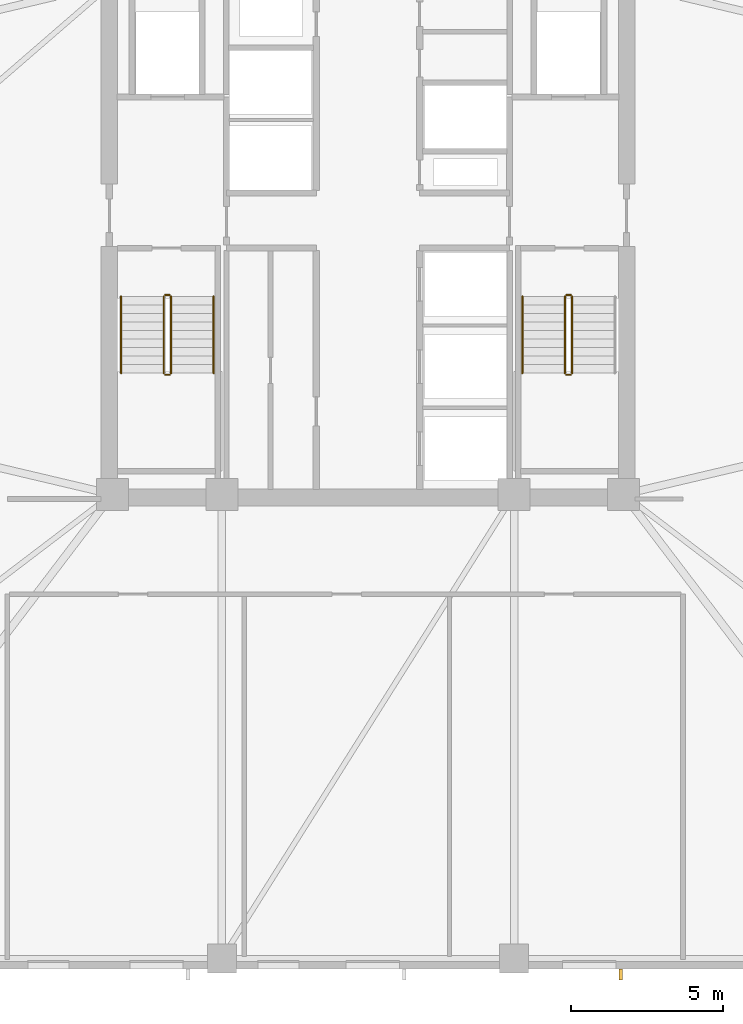
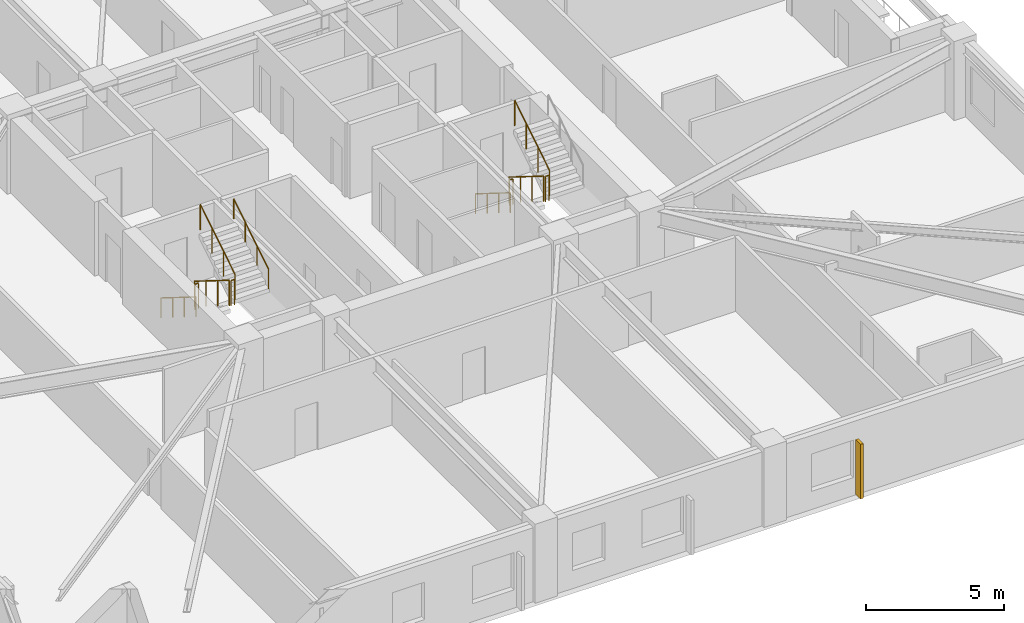
# One storey, part 7 of 10: 11 railings, 1 shading device.
"""IFC4 building model written with IfcOpenShell, lengths in metres."""

import ifcopenshell
import ifcopenshell.guid

model = None  # the IFC model being written
_history = None  # IfcOwnerHistory: only IFC2X3 demands one
_inside = {}  # id of a spatial element -> (the spatial element, [elements in it])
_under = {}  # id of a project, library or spatial element -> (it, [spatial elements below it])
_declared = {}  # id of a project -> (the project, [libraries it declares])
_typed = {}  # id of a type object -> (the type object, [elements of that type])
_made_of = {}  # id of a material, layer set ... -> (it, [elements and type objects made of it])


def new_model(schema):
    """Start an empty IFC model of exactly this schema.

    Asked for "IFC4X3", IfcOpenShell would pick the latest addendum, in which some entities
    have other attributes; the version numbers below select the first issue.
    IFC2X3 requires an IfcOwnerHistory on every rooted entity: one is made here for all.
    """
    global model, _history
    if schema == "IFC4X3":
        model = ifcopenshell.file(schema_version=(4, 3, 0, 0))
    else:
        model = ifcopenshell.file(schema=schema)
    _inside.clear()
    _under.clear()
    _declared.clear()
    _typed.clear()
    _made_of.clear()
    _history = None
    if model.schema == "IFC2X3":
        org = make("IfcOrganization", Name="unknown")
        user = make(
            "IfcPersonAndOrganization",
            ThePerson=make("IfcPerson", FamilyName="unknown"),
            TheOrganization=org,
        )
        app = make(
            "IfcApplication",
            ApplicationDeveloper=org,
            Version="unknown",
            ApplicationFullName="unknown",
            ApplicationIdentifier="unknown",
        )
        _history = make(
            "IfcOwnerHistory",
            OwningUser=user,
            OwningApplication=app,
            ChangeAction="ADDED",
            CreationDate=0,
        )
    return model


def make(cls, **values):
    """One entity of the class cls with the attributes given. An attribute that is None is left unset."""
    return model.create_entity(
        cls, **{name: value for name, value in values.items() if value is not None}
    )


def rooted(cls, **values):
    """An entity with a GlobalId (a new one), such as an element, a storey or a relation."""
    return make(cls, GlobalId=ifcopenshell.guid.new(), OwnerHistory=_history, **values)


def si_unit(unit_type, name, prefix=None):
    """IfcSIUnit, for example si_unit("LENGTHUNIT", "METRE", prefix="MILLI")."""
    return make("IfcSIUnit", UnitType=unit_type, Prefix=prefix, Name=name)


def assignment(units):
    """IfcUnitAssignment: the units of a project."""
    return None if units is None else make("IfcUnitAssignment", Units=units)


def point(xyz):
    """IfcCartesianPoint."""
    return None if xyz is None else make("IfcCartesianPoint", Coordinates=xyz)


def direction(xyz):
    """IfcDirection."""
    return None if xyz is None else make("IfcDirection", DirectionRatios=xyz)


def frame(location, z_axis=None, x_axis=None):
    """IfcAxis2Placement3D, a coordinate frame: its origin and axes. An axis left out is left unset."""
    return make(
        "IfcAxis2Placement3D",
        Location=point(location),
        Axis=direction(z_axis),
        RefDirection=direction(x_axis),
    )


def frame_2d(location, x_axis=None):
    """IfcAxis2Placement2D, a coordinate frame in the plane: its origin and x axis."""
    return make(
        "IfcAxis2Placement2D", Location=point(location), RefDirection=direction(x_axis)
    )


def origin():
    """The frame at (0, 0, 0) with its axes left unset."""
    return frame((0.0, 0.0, 0.0))


def origin_2d():
    """The frame at (0, 0) in the plane with its x axis left unset."""
    return frame_2d((0.0, 0.0))


def place(relative_to, where):
    """IfcLocalPlacement: puts the frame where relative to a parent placement (None: the world)."""
    return make(
        "IfcLocalPlacement", PlacementRelTo=relative_to, RelativePlacement=where
    )


def context(
    kind, dimensions, precision=None, world=None, true_north=None, identifier=None
):
    """IfcGeometricRepresentationContext, for example the 3D "Model" context."""
    return make(
        "IfcGeometricRepresentationContext",
        ContextIdentifier=identifier,
        ContextType=kind,
        CoordinateSpaceDimension=dimensions,
        Precision=precision,
        WorldCoordinateSystem=world,
        TrueNorth=true_north,
    )


def subcontext(parent, identifier, kind, view, scale=None):
    """IfcGeometricRepresentationSubContext, for example "Body" below "Model"."""
    return make(
        "IfcGeometricRepresentationSubContext",
        ContextIdentifier=identifier,
        ContextType=kind,
        ParentContext=parent,
        TargetScale=scale,
        TargetView=view,
    )


def project(units=None, contexts=None):
    """IfcProject with its units and contexts."""
    return rooted(
        "IfcProject",
        Name="project",
        RepresentationContexts=contexts,
        UnitsInContext=assignment(units),
    )


def spatial(cls, under=None, at=None, **own):
    """A site, building, storey or space (cls), placed at a placement, below another one or the project."""
    s = rooted(cls, ObjectPlacement=at, **own)
    if under is not None:
        _under.setdefault(under.id(), (under, []))[1].append(s)
    return s


def profile(cls, at=None, kind="AREA", **sizes):
    """A parametric profile (cls). Its sizes go by their IFC names, for example OverallWidth=200.0."""
    return make(cls, ProfileType=kind, Position=at, **sizes)


def rectangle(**sizes):
    """IfcRectangleProfileDef."""
    return profile("IfcRectangleProfileDef", **sizes)


def circle(**sizes):
    """IfcCircleProfileDef."""
    return profile("IfcCircleProfileDef", **sizes)


def extrude(swept, where, along, depth):
    """IfcExtrudedAreaSolid: the profile swept, set in the frame where, extruded along a direction by depth."""
    return make(
        "IfcExtrudedAreaSolid",
        SweptArea=swept,
        Position=where,
        ExtrudedDirection=direction(along),
        Depth=depth,
    )


def shape(context_of_items, identifier, shape_type, items):
    """IfcShapeRepresentation: the items that make up one representation, for example the "Body"."""
    return make(
        "IfcShapeRepresentation",
        ContextOfItems=context_of_items,
        RepresentationIdentifier=identifier,
        RepresentationType=shape_type,
        Items=items,
    )


def material(Name=None, Category=None):
    """IfcMaterial."""
    return make("IfcMaterial", Name=Name, Category=Category)


def made_of(thing, what):
    """Note that an element or type object is made of a material, layer set ...; save() writes the relation."""
    if what is not None:
        _made_of.setdefault(what.id(), (what, []))[1].append(thing)
    return thing


def type_object(cls, material=None, **own):
    """A type object (cls), such as IfcWallType, which elements share."""
    return made_of(rooted(cls, **own), material)


def element(
    cls,
    number,
    at=None,
    inside=None,
    cuts=None,
    type_object=None,
    material=None,
    context=None,
    identifier="Body",
    shape_type=None,
    held_by="IfcProductDefinitionShape",
    body=None,
    shapes=None,
    **own,
):
    """One element of the class cls, such as IfcWall. Its Tag is "e" and its number.

    at: its placement. inside: the storey or other place that contains it. cuts: it is an
    opening in that element (IfcRelVoidsElement). A single representation is given by context,
    identifier, shape_type and body (its items); several are given by shapes. held_by: the class
    of the entity that holds the representations. save() writes the other relations.
    """
    e = rooted(cls, Tag="e%d" % number, ObjectPlacement=at, **own)
    if body is not None:
        shapes = [shape(context, identifier, shape_type, body)]
    if shapes is not None:
        e.Representation = make(held_by, Representations=shapes)
    if inside is not None:
        _inside.setdefault(inside.id(), (inside, []))[1].append(e)
    if cuts is not None:
        rooted(
            "IfcRelVoidsElement", RelatingBuildingElement=cuts, RelatedOpeningElement=e
        )
    if type_object is not None:
        _typed.setdefault(type_object.id(), (type_object, []))[1].append(e)
    return made_of(e, material)


def aggregate(whole, parts):
    """IfcRelAggregates: a whole, such as a stair, and the parts it consists of."""
    return rooted("IfcRelAggregates", RelatingObject=whole, RelatedObjects=parts)


def save(model, path):
    """Write the relations noted so far, then the file.

    IfcRelAggregates (storeys below a building ...), IfcRelContainedInSpatialStructure (elements
    in a storey), IfcRelDefinesByType, IfcRelAssociatesMaterial and IfcRelDeclares: one each for
    every whole, place, type object, material and project.
    """
    for whole, parts in _under.values():
        aggregate(whole, parts)
    for where, things in _inside.values():
        rooted(
            "IfcRelContainedInSpatialStructure",
            RelatedElements=things,
            RelatingStructure=where,
        )
    for kind, things in _typed.values():
        rooted("IfcRelDefinesByType", RelatedObjects=things, RelatingType=kind)
    for what, things in _made_of.values():
        rooted("IfcRelAssociatesMaterial", RelatedObjects=things, RelatingMaterial=what)
    for by, libraries in _declared.values():
        rooted("IfcRelDeclares", RelatingContext=by, RelatedDefinitions=libraries)
    model.write(path)


model = new_model("IFC4")

# Units and contexts
model_context = context("Model", 3, precision=1e-05, world=origin(), true_north=direction((0.0, 1.0)))
body_context = subcontext(model_context, "Body", "Model", "MODEL_VIEW")
ifc_project = project(units=[si_unit("LENGTHUNIT", "METRE"), si_unit("AREAUNIT", "SQUARE_METRE"), si_unit("VOLUMEUNIT", "CUBIC_METRE"), si_unit("PLANEANGLEUNIT", "RADIAN"), si_unit("MASSUNIT", "GRAM", prefix="KILO")], contexts=[model_context])

# Site, building, storey
site_placement = place(None, origin())
site = spatial("IfcSite", under=ifc_project, at=site_placement, CompositionType="ELEMENT")
building_placement = place(site_placement, origin())
building = spatial("IfcBuilding", under=site, at=building_placement, Name="Cairnveth Concourse Tower", CompositionType="ELEMENT")
storey_placement = place(building_placement, frame((0.0, 0.0, 186.5)))
storey = spatial("IfcBuildingStorey", under=building, at=storey_placement, Name="L51", CompositionType="ELEMENT", Elevation=186.5)

# Shading device
ifc_material_1 = material(Name="Architectural Bronze Anodised Aluminium 6063-T6", Category="aluminium")
shading_device_type = type_object("IfcShadingDeviceType", Name="GOTHIC BRONZE VERTICAL LANCET FIN", PredefinedType="USERDEFINED", material=ifc_material_1)
shading_device_placement = place(storey_placement, frame((60.301025390625, 14.824951171875, 0.030029296875), z_axis=(0.0, 0.0, 1.0), x_axis=(1.0, 0.0, 0.0)))
element("IfcShadingDevice", 1, at=shading_device_placement, inside=storey, type_object=shading_device_type, Name="Gothic Bronze Vertical Fin L51-3-3", ObjectType="VERTICAL FIN", PredefinedType="USERDEFINED", context=body_context, shape_type="SweptSolid", body=[
    extrude(rectangle(XDim=0.1201171875, YDim=0.360107421875, at=origin_2d()), origin(), (0.0, 0.0, 1.0), 2.419921875),
])

# Railings
ifc_material_2 = material(Name="Steel Grade 350", Category="steel")
railing_type_1 = type_object("IfcRailingType", Name="STAIR GUARDRAIL 1150", PredefinedType="GUARDRAIL", material=ifc_material_2)
railing_1_placement = place(storey_placement, frame((45.2900390625, 37.10009765625, 0.175048828125)))
element("IfcRailing", 2, at=railing_1_placement, inside=storey, type_object=railing_type_1, Name="L51 ST-1 stair guard 1", PredefinedType="GUARDRAIL", context=body_context, shape_type="SweptSolid", body=[
    extrude(circle(Radius=0.02392578125, at=origin_2d()), frame((0.0, 0.0, 1.1259765625), z_axis=(0.0, -0.848007534815, 0.529984170421), x_axis=(1.0, 0.0, 0.0)), (0.0, 0.0, 1.0), 2.9716796875),
    extrude(circle(Radius=0.02099609375, at=origin_2d()), origin(), (0.0, 0.0, 1.0), 1.101806640625),
    extrude(circle(Radius=0.02099609375, at=origin_2d()), frame((0.0, -0.840087890625, 0.52490234375)), (0.0, 0.0, 1.0), 1.101806640625),
    extrude(circle(Radius=0.02099609375, at=origin_2d()), frame((0.0, -1.679931640625, 1.050048828125)), (0.0, 0.0, 1.0), 1.101806640625),
    extrude(circle(Radius=0.02099609375, at=origin_2d()), frame((0.0, -2.52001953125, 1.574951171875)), (0.0, 0.0, 1.0), 1.101806640625),
])
railing_2_placement = place(storey_placement, frame((45.340087890625, 34.530029296875, 1.75)))
element("IfcRailing", 3, at=railing_2_placement, inside=storey, type_object=railing_type_1, Name="L51 ST-1 stair guard 2", PredefinedType="GUARDRAIL", context=body_context, shape_type="SweptSolid", body=[
    extrude(circle(Radius=0.02392578125, at=origin_2d()), frame((0.0, 0.0, 1.1259765625), z_axis=(1.0, 0.0, 0.0), x_axis=(0.0, 1.0, 0.0)), (0.0, 0.0, 1.0), 0.139892578125),
    extrude(circle(Radius=0.02099609375, at=origin_2d()), origin(), (0.0, 0.0, 1.0), 1.101806640625),
    extrude(circle(Radius=0.02099609375, at=origin_2d()), frame((0.139892578125, 0.0, 0.0)), (0.0, 0.0, 1.0), 1.101806640625),
])
railing_3_placement = place(storey_placement, frame((45.530029296875, 34.580078125, 1.925048828125)))
element("IfcRailing", 4, at=railing_3_placement, inside=storey, type_object=railing_type_1, Name="L51 ST-1 stair guard 3", PredefinedType="GUARDRAIL", context=body_context, shape_type="SweptSolid", body=[
    extrude(circle(Radius=0.02392578125, at=origin_2d()), frame((0.0, 0.0, 1.1259765625), z_axis=(0.0, 0.848007534815, 0.529984170421), x_axis=(-1.0, 0.0, 0.0)), (0.0, 0.0, 1.0), 2.9716796875),
    extrude(circle(Radius=0.02099609375, at=origin_2d()), origin(), (0.0, 0.0, 1.0), 1.101806640625),
    extrude(circle(Radius=0.02099609375, at=origin_2d()), frame((0.0, 0.840087890625, 0.52490234375)), (0.0, 0.0, 1.0), 1.101806640625),
    extrude(circle(Radius=0.02099609375, at=origin_2d()), frame((0.0, 1.679931640625, 1.050048828125)), (0.0, 0.0, 1.0), 1.101806640625),
    extrude(circle(Radius=0.02099609375, at=origin_2d()), frame((0.0, 2.52001953125, 1.574951171875)), (0.0, 0.0, 1.0), 1.101806640625),
])
railing_4_placement = place(storey_placement, frame((45.340087890625, 37.14990234375, 0.0)))
element("IfcRailing", 5, at=railing_4_placement, inside=storey, type_object=railing_type_1, Name="L51 ST-1 stair guard 4", PredefinedType="GUARDRAIL", context=body_context, shape_type="SweptSolid", body=[
    extrude(circle(Radius=0.02392578125, at=origin_2d()), frame((0.0, 0.0, 1.1259765625), z_axis=(1.0, 0.0, 0.0), x_axis=(0.0, 1.0, 0.0)), (0.0, 0.0, 1.0), 0.139892578125),
    extrude(circle(Radius=0.02099609375, at=origin_2d()), origin(), (0.0, 0.0, 1.0), 1.101806640625),
    extrude(circle(Radius=0.02099609375, at=origin_2d()), frame((0.139892578125, 0.0, 0.0)), (0.0, 0.0, 1.0), 1.101806640625),
])
railing_5_placement = place(storey_placement, frame((58.469970703125, 37.10009765625, 0.175048828125)))
element("IfcRailing", 6, at=railing_5_placement, inside=storey, type_object=railing_type_1, Name="L51 ST-2 stair guard 1", PredefinedType="GUARDRAIL", context=body_context, shape_type="SweptSolid", body=[
    extrude(circle(Radius=0.02392578125, at=origin_2d()), frame((0.0, 0.0, 1.1259765625), z_axis=(0.0, -0.848007534815, 0.529984170421), x_axis=(1.0, 0.0, 0.0)), (0.0, 0.0, 1.0), 2.9716796875),
    extrude(circle(Radius=0.02099609375, at=origin_2d()), origin(), (0.0, 0.0, 1.0), 1.101806640625),
    extrude(circle(Radius=0.02099609375, at=origin_2d()), frame((0.0, -0.840087890625, 0.52490234375)), (0.0, 0.0, 1.0), 1.101806640625),
    extrude(circle(Radius=0.02099609375, at=origin_2d()), frame((0.0, -1.679931640625, 1.050048828125)), (0.0, 0.0, 1.0), 1.101806640625),
    extrude(circle(Radius=0.02099609375, at=origin_2d()), frame((0.0, -2.52001953125, 1.574951171875)), (0.0, 0.0, 1.0), 1.101806640625),
])
railing_6_placement = place(storey_placement, frame((58.52001953125, 34.530029296875, 1.75)))
element("IfcRailing", 7, at=railing_6_placement, inside=storey, type_object=railing_type_1, Name="L51 ST-2 stair guard 2", PredefinedType="GUARDRAIL", context=body_context, shape_type="SweptSolid", body=[
    extrude(circle(Radius=0.02392578125, at=origin_2d()), frame((0.0, 0.0, 1.1259765625), z_axis=(1.0, 0.0, 0.0), x_axis=(0.0, 1.0, 0.0)), (0.0, 0.0, 1.0), 0.139892578125),
    extrude(circle(Radius=0.02099609375, at=origin_2d()), origin(), (0.0, 0.0, 1.0), 1.101806640625),
    extrude(circle(Radius=0.02099609375, at=origin_2d()), frame((0.139892578125, 0.0, 0.0)), (0.0, 0.0, 1.0), 1.101806640625),
])
railing_7_placement = place(storey_placement, frame((58.7099609375, 34.580078125, 1.925048828125)))
element("IfcRailing", 8, at=railing_7_placement, inside=storey, type_object=railing_type_1, Name="L51 ST-2 stair guard 3", PredefinedType="GUARDRAIL", context=body_context, shape_type="SweptSolid", body=[
    extrude(circle(Radius=0.02392578125, at=origin_2d()), frame((0.0, 0.0, 1.1259765625), z_axis=(0.0, 0.848007534815, 0.529984170421), x_axis=(-1.0, 0.0, 0.0)), (0.0, 0.0, 1.0), 2.9716796875),
    extrude(circle(Radius=0.02099609375, at=origin_2d()), origin(), (0.0, 0.0, 1.0), 1.101806640625),
    extrude(circle(Radius=0.02099609375, at=origin_2d()), frame((0.0, 0.840087890625, 0.52490234375)), (0.0, 0.0, 1.0), 1.101806640625),
    extrude(circle(Radius=0.02099609375, at=origin_2d()), frame((0.0, 1.679931640625, 1.050048828125)), (0.0, 0.0, 1.0), 1.101806640625),
    extrude(circle(Radius=0.02099609375, at=origin_2d()), frame((0.0, 2.52001953125, 1.574951171875)), (0.0, 0.0, 1.0), 1.101806640625),
])
railing_8_placement = place(storey_placement, frame((58.52001953125, 37.14990234375, 0.0)))
element("IfcRailing", 9, at=railing_8_placement, inside=storey, type_object=railing_type_1, Name="L51 ST-2 stair guard 4", PredefinedType="GUARDRAIL", context=body_context, shape_type="SweptSolid", body=[
    extrude(circle(Radius=0.02392578125, at=origin_2d()), frame((0.0, 0.0, 1.1259765625), z_axis=(1.0, 0.0, 0.0), x_axis=(0.0, 1.0, 0.0)), (0.0, 0.0, 1.0), 0.139892578125),
    extrude(circle(Radius=0.02099609375, at=origin_2d()), origin(), (0.0, 0.0, 1.0), 1.101806640625),
    extrude(circle(Radius=0.02099609375, at=origin_2d()), frame((0.139892578125, 0.0, 0.0)), (0.0, 0.0, 1.0), 1.101806640625),
])
railing_type_2 = type_object("IfcRailingType", Name="STAIR WALL HANDRAIL 900", PredefinedType="HANDRAIL", material=ifc_material_2)
railing_9_placement = place(storey_placement, frame((43.889892578125, 37.10009765625, 0.175048828125)))
element("IfcRailing", 10, at=railing_9_placement, inside=storey, type_object=railing_type_2, Name="L51 ST-1 stair handrail 1", PredefinedType="HANDRAIL", context=body_context, shape_type="SweptSolid", body=[
    extrude(circle(Radius=0.02392578125, at=origin_2d()), frame((0.0, 0.0, 0.8759765625), z_axis=(0.0, -0.848007534815, 0.529984170421), x_axis=(1.0, 0.0, 0.0)), (0.0, 0.0, 1.0), 2.9716796875),
    extrude(circle(Radius=0.02099609375, at=origin_2d()), origin(), (0.0, 0.0, 1.0), 0.851806640625),
    extrude(circle(Radius=0.02099609375, at=origin_2d()), frame((0.0, -0.840087890625, 0.52490234375)), (0.0, 0.0, 1.0), 0.851806640625),
    extrude(circle(Radius=0.02099609375, at=origin_2d()), frame((0.0, -1.679931640625, 1.050048828125)), (0.0, 0.0, 1.0), 0.851806640625),
    extrude(circle(Radius=0.02099609375, at=origin_2d()), frame((0.0, -2.52001953125, 1.574951171875)), (0.0, 0.0, 1.0), 0.851806640625),
])
railing_10_placement = place(storey_placement, frame((46.929931640625, 34.580078125, 1.925048828125)))
element("IfcRailing", 11, at=railing_10_placement, inside=storey, type_object=railing_type_2, Name="L51 ST-1 stair handrail 2", PredefinedType="HANDRAIL", context=body_context, shape_type="SweptSolid", body=[
    extrude(circle(Radius=0.02392578125, at=origin_2d()), frame((0.0, 0.0, 0.8759765625), z_axis=(0.0, 0.848007534815, 0.529984170421), x_axis=(-1.0, 0.0, 0.0)), (0.0, 0.0, 1.0), 2.9716796875),
    extrude(circle(Radius=0.02099609375, at=origin_2d()), origin(), (0.0, 0.0, 1.0), 0.851806640625),
    extrude(circle(Radius=0.02099609375, at=origin_2d()), frame((0.0, 0.840087890625, 0.52490234375)), (0.0, 0.0, 1.0), 0.851806640625),
    extrude(circle(Radius=0.02099609375, at=origin_2d()), frame((0.0, 1.679931640625, 1.050048828125)), (0.0, 0.0, 1.0), 0.851806640625),
    extrude(circle(Radius=0.02099609375, at=origin_2d()), frame((0.0, 2.52001953125, 1.574951171875)), (0.0, 0.0, 1.0), 0.851806640625),
])
railing_11_placement = place(storey_placement, frame((57.070068359375, 37.10009765625, 0.175048828125)))
element("IfcRailing", 12, at=railing_11_placement, inside=storey, type_object=railing_type_2, Name="L51 ST-2 stair handrail 1", PredefinedType="HANDRAIL", context=body_context, shape_type="SweptSolid", body=[
    extrude(circle(Radius=0.02392578125, at=origin_2d()), frame((0.0, 0.0, 0.8759765625), z_axis=(0.0, -0.848007534815, 0.529984170421), x_axis=(1.0, 0.0, 0.0)), (0.0, 0.0, 1.0), 2.9716796875),
    extrude(circle(Radius=0.02099609375, at=origin_2d()), origin(), (0.0, 0.0, 1.0), 0.851806640625),
    extrude(circle(Radius=0.02099609375, at=origin_2d()), frame((0.0, -0.840087890625, 0.52490234375)), (0.0, 0.0, 1.0), 0.851806640625),
    extrude(circle(Radius=0.02099609375, at=origin_2d()), frame((0.0, -1.679931640625, 1.050048828125)), (0.0, 0.0, 1.0), 0.851806640625),
    extrude(circle(Radius=0.02099609375, at=origin_2d()), frame((0.0, -2.52001953125, 1.574951171875)), (0.0, 0.0, 1.0), 0.851806640625),
])

save(model, "model.ifc")
